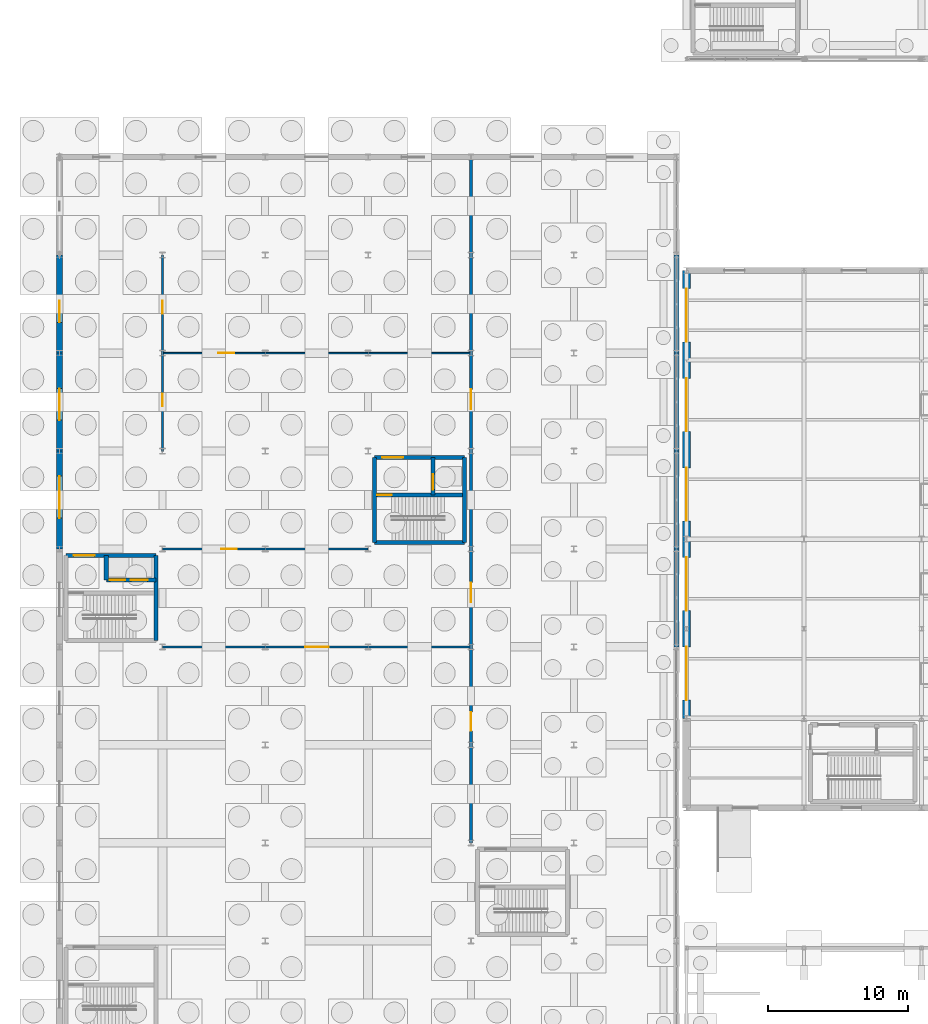
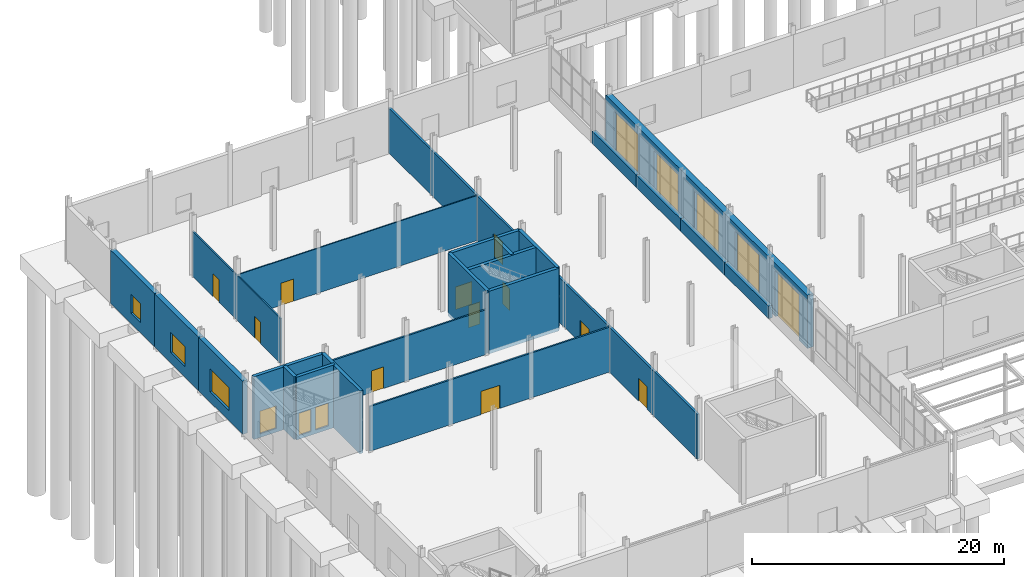
# One storey, part 120 of 139: 23 walls, 19 doors, 3 windows, 22 openings.
"""IFC4 building model written with IfcOpenShell, lengths in metres."""

from ifc_helpers import new_model, si_unit, direction, frame, frame_2d, origin, place, context, subcontext, project, spatial, rectangle, extrude, material, layer, layer_set, type_object, element, fill, save


model = new_model("IFC4")

# Units and contexts
model_context = context("Model", 3, precision=1e-05, world=origin(), true_north=direction((0.0, 1.0)))
body_context = subcontext(model_context, "Body", "Model", "MODEL_VIEW")
ifc_project = project(units=[si_unit("LENGTHUNIT", "METRE"), si_unit("AREAUNIT", "SQUARE_METRE"), si_unit("VOLUMEUNIT", "CUBIC_METRE"), si_unit("PLANEANGLEUNIT", "RADIAN"), si_unit("MASSUNIT", "GRAM", prefix="KILO")], contexts=[model_context])

# Site, building, storey
site_placement = place(None, origin())
site = spatial("IfcSite", under=ifc_project, at=site_placement, CompositionType="ELEMENT")
building_placement = place(site_placement, origin())
building = spatial("IfcBuilding", under=site, at=building_placement, Name="Kazenagashi Tramway Depot", CompositionType="ELEMENT")
storey_placement = place(building_placement, origin())
storey = spatial("IfcBuildingStorey", under=building, at=storey_placement, Name="L01", CompositionType="ELEMENT", Elevation=0.0)

# Wall, opening, window
ifc_material_1 = material(Name="Clay Brick Masonry JIS R 1250 Class 1 (20 MPa)", Category="masonry")
ifc_layer_1 = layer(ifc_material_1, 0.43)
ifc_layer_set_1 = layer_set([ifc_layer_1], Name="Clay Brick Masonry JIS R 1250 Class 1 (20 MPa)")
wall_type_1 = type_object("IfcWallType", Name="W-BK1", PredefinedType="SOLIDWALL", material=ifc_layer_set_1)
wall_1_placement = place(storey_placement, frame((0.0, 35.0, 0.0), z_axis=(0.0, 0.0, 1.0), x_axis=(0.0, 1.0, 0.0)))
wall_1 = element("IfcWall", 1, at=wall_1_placement, inside=storey, type_object=wall_type_1, Name="Exterior Brick Wall W-BK1 EWALL-0224", PredefinedType="SOLIDWALL", context=body_context, shape_type="SweptSolid", body=[
    extrude(rectangle(XDim=7.0, YDim=0.43, at=frame_2d((3.5, 0.0))), origin(), (0.0, 0.0, 1.0), 5.15),
])
opening_1_placement = place(wall_1_placement, frame((2.2, 0.0, 1.0)))
opening_1 = element("IfcOpeningElement", 2, at=opening_1_placement, cuts=wall_1, Name="Opening WN-14", PredefinedType="OPENING", context=body_context, shape_type="SweptSolid", body=[
    extrude(rectangle(XDim=3.0, YDim=2.2, at=frame_2d((1.5, 1.1))), frame((0.0, 0.225, 0.0), z_axis=(0.0, -1.0, 0.0), x_axis=(1.0, 0.0, 0.0)), (0.0, 0.0, 1.0), 0.45),
])
ifc_material_2 = material(Name="Anodised Aluminium and Tempered Low-E Glass", Category="aluminium")
window_type_1 = type_object("IfcWindowType", Name="WN-14", PartitioningType="SINGLE_PANEL", PredefinedType="WINDOW", material=ifc_material_2)
window_1_placement = place(opening_1_placement, origin())
window_1 = element("IfcWindow", 3, at=window_1_placement, inside=storey, type_object=window_type_1, Name="Window WN-14 WIN-0206", OverallHeight=2.2, OverallWidth=3.0, PartitioningType="SINGLE_PANEL", PredefinedType="WINDOW", context=body_context, shape_type="SweptSolid", body=[
    extrude(rectangle(XDim=3.0, YDim=2.2, at=frame_2d((1.5, 1.1))), frame((0.0, 0.03, 0.0), z_axis=(0.0, -1.0, 0.0), x_axis=(1.0, 0.0, 0.0)), (0.0, 0.0, 1.0), 0.06),
])
fill(opening_1, window_1)

wall_2_placement = place(storey_placement, frame((0.0, 42.0, 0.0), z_axis=(0.0, 0.0, 1.0), x_axis=(0.0, 1.0, 0.0)))
wall_2 = element("IfcWall", 4, at=wall_2_placement, inside=storey, type_object=wall_type_1, Name="Exterior Brick Wall W-BK1 EWALL-0229", PredefinedType="SOLIDWALL", context=body_context, shape_type="SweptSolid", body=[
    extrude(rectangle(XDim=7.0, YDim=0.43, at=frame_2d((3.5, 0.0))), origin(), (0.0, 0.0, 1.0), 5.15),
])
opening_2_placement = place(wall_2_placement, frame((2.2, 0.0, 1.0)))
opening_2 = element("IfcOpeningElement", 5, at=opening_2_placement, cuts=wall_2, Name="Opening WN-19", PredefinedType="OPENING", context=body_context, shape_type="SweptSolid", body=[
    extrude(rectangle(XDim=2.25, YDim=1.95, at=frame_2d((1.125, 0.975))), frame((0.0, 0.225, 0.0), z_axis=(0.0, -1.0, 0.0), x_axis=(1.0, 0.0, 0.0)), (0.0, 0.0, 1.0), 0.45),
])
window_type_2 = type_object("IfcWindowType", Name="WN-19", PartitioningType="SINGLE_PANEL", PredefinedType="WINDOW", material=ifc_material_2)
window_2_placement = place(opening_2_placement, origin())
window_2 = element("IfcWindow", 6, at=window_2_placement, inside=storey, type_object=window_type_2, Name="Window WN-19 WIN-0211", OverallHeight=1.95, OverallWidth=2.25, PartitioningType="SINGLE_PANEL", PredefinedType="WINDOW", context=body_context, shape_type="SweptSolid", body=[
    extrude(rectangle(XDim=2.25, YDim=1.95, at=frame_2d((1.125, 0.975))), frame((0.0, 0.03, 0.0), z_axis=(0.0, -1.0, 0.0), x_axis=(1.0, 0.0, 0.0)), (0.0, 0.0, 1.0), 0.06),
])
fill(opening_2, window_2)

wall_3_placement = place(storey_placement, frame((0.0, 49.0, 0.0), z_axis=(0.0, 0.0, 1.0), x_axis=(0.0, 1.0, 0.0)))
wall_3 = element("IfcWall", 7, at=wall_3_placement, inside=storey, type_object=wall_type_1, Name="Exterior Brick Wall W-BK1 EWALL-0233", PredefinedType="SOLIDWALL", context=body_context, shape_type="SweptSolid", body=[
    extrude(rectangle(XDim=7.0, YDim=0.43, at=frame_2d((3.5, 0.0))), origin(), (0.0, 0.0, 1.0), 5.15),
])
opening_3_placement = place(wall_3_placement, frame((2.2, 0.0, 1.0)))
opening_3 = element("IfcOpeningElement", 8, at=opening_3_placement, cuts=wall_3, Name="Opening WN-23", PredefinedType="OPENING", context=body_context, shape_type="SweptSolid", body=[
    extrude(rectangle(XDim=1.55, YDim=1.85, at=frame_2d((0.775, 0.925))), frame((0.0, 0.225, 0.0), z_axis=(0.0, -1.0, 0.0), x_axis=(1.0, 0.0, 0.0)), (0.0, 0.0, 1.0), 0.45),
])
window_type_3 = type_object("IfcWindowType", Name="WN-23", PartitioningType="SINGLE_PANEL", PredefinedType="WINDOW", material=ifc_material_2)
window_3_placement = place(opening_3_placement, origin())
window_3 = element("IfcWindow", 9, at=window_3_placement, inside=storey, type_object=window_type_3, Name="Window WN-23 WIN-0215", OverallHeight=1.85, OverallWidth=1.55, PartitioningType="SINGLE_PANEL", PredefinedType="WINDOW", context=body_context, shape_type="SweptSolid", body=[
    extrude(rectangle(XDim=1.55, YDim=1.85, at=frame_2d((0.775, 0.925))), frame((0.0, 0.03, 0.0), z_axis=(0.0, -1.0, 0.0), x_axis=(1.0, 0.0, 0.0)), (0.0, 0.0, 1.0), 0.06),
])
fill(opening_3, window_3)

# Walls
ifc_layer_2 = layer(ifc_material_1, 0.36)
ifc_layer_set_2 = layer_set([ifc_layer_2], Name="Clay Brick Masonry JIS R 1250 Class 1 (20 MPa)")
wall_type_2 = type_object("IfcWallType", Name="W-BK2", PredefinedType="SOLIDWALL", material=ifc_layer_set_2)
for number, where, z_axis, x_axis, name in (
    (10, (44.1, 28.0, 0.0), (0.0, 0.0, 1.0), (0.0, 1.0, 0.0), "Exterior Brick Wall W-BK2 EWALL-0319"),
    (11, (44.1, 35.0, 0.0), (0.0, 0.0, 1.0), (0.0, 1.0, 0.0), "Exterior Brick Wall W-BK2 EWALL-0320"),
    (12, (44.1, 42.0, 0.0), (0.0, 0.0, 1.0), (0.0, 1.0, 0.0), "Exterior Brick Wall W-BK2 EWALL-0321"),
    (13, (44.1, 49.0, 0.0), (0.0, 0.0, 1.0), (0.0, 1.0, 0.0), "Exterior Brick Wall W-BK2 EWALL-0322"),
):
    element("IfcWall", number, at=place(storey_placement, frame(where, z_axis=z_axis, x_axis=x_axis)), inside=storey, type_object=wall_type_2, Name=name, PredefinedType="SOLIDWALL", context=body_context, shape_type="SweptSolid", body=[
        extrude(rectangle(XDim=7.0, YDim=0.36, at=frame_2d((3.5, 0.0))), origin(), (0.0, 0.0, 1.0), 1.2),
    ])

# Wall, openings, doors
ifc_material_3 = material(Name="Clinker Brick Masonry JIS R 1250 Class 1 (24 MPa)", Category="masonry")
ifc_layer_3 = layer(ifc_material_3, 0.54)
ifc_layer_set_3 = layer_set([ifc_layer_3], Name="Clinker Brick Masonry JIS R 1250 Class 1 (24 MPa)")
wall_type_3 = type_object("IfcWallType", Name="W-BK4", PredefinedType="SOLIDWALL", material=ifc_layer_set_3)
wall_4_placement = place(storey_placement, frame((44.8, 22.9, 0.0), z_axis=(0.0, 0.0, 1.0), x_axis=(0.0, 1.0, 0.0)))
wall_4 = element("IfcWall", 14, at=wall_4_placement, inside=storey, type_object=wall_type_3, Name="Exterior Brick Wall W-BK4 EWALL-0068", PredefinedType="SOLIDWALL", context=body_context, shape_type="SweptSolid", body=[
    extrude(rectangle(XDim=32.0, YDim=0.54, at=frame_2d((16.0, 0.0))), origin(), (0.0, 0.0, 1.0), 5.14),
])
opening_4_placement = place(wall_4_placement, frame((1.3, 0.0, 0.0)))
opening_4 = element("IfcOpeningElement", 15, at=opening_4_placement, cuts=wall_4, Name="Opening RS-12", PredefinedType="OPENING", context=body_context, shape_type="SweptSolid", body=[
    extrude(rectangle(XDim=3.8, YDim=4.4, at=frame_2d((1.9, 2.2))), frame((0.0, 0.28, 0.0), z_axis=(0.0, -1.0, 0.0), x_axis=(1.0, 0.0, 0.0)), (0.0, 0.0, 1.0), 0.56),
])
opening_5_placement = place(wall_4_placement, frame((7.7, 0.0, 0.0)))
opening_5 = element("IfcOpeningElement", 16, at=opening_5_placement, cuts=wall_4, Name="Opening RS-13", PredefinedType="OPENING", context=body_context, shape_type="SweptSolid", body=[
    extrude(rectangle(XDim=3.8, YDim=4.4, at=frame_2d((1.9, 2.2))), frame((0.0, 0.28, 0.0), z_axis=(0.0, -1.0, 0.0), x_axis=(1.0, 0.0, 0.0)), (0.0, 0.0, 1.0), 0.56),
])
opening_6_placement = place(wall_4_placement, frame((14.1, 0.0, 0.0)))
opening_6 = element("IfcOpeningElement", 17, at=opening_6_placement, cuts=wall_4, Name="Opening RS-14", PredefinedType="OPENING", context=body_context, shape_type="SweptSolid", body=[
    extrude(rectangle(XDim=3.8, YDim=4.4, at=frame_2d((1.9, 2.2))), frame((0.0, 0.28, 0.0), z_axis=(0.0, -1.0, 0.0), x_axis=(1.0, 0.0, 0.0)), (0.0, 0.0, 1.0), 0.56),
])
opening_7_placement = place(wall_4_placement, frame((20.5, 0.0, 0.0)))
opening_7 = element("IfcOpeningElement", 18, at=opening_7_placement, cuts=wall_4, Name="Opening RS-15", PredefinedType="OPENING", context=body_context, shape_type="SweptSolid", body=[
    extrude(rectangle(XDim=3.8, YDim=4.4, at=frame_2d((1.9, 2.2))), frame((0.0, 0.28, 0.0), z_axis=(0.0, -1.0, 0.0), x_axis=(1.0, 0.0, 0.0)), (0.0, 0.0, 1.0), 0.56),
])
opening_8_placement = place(wall_4_placement, frame((26.9, 0.0, 0.0)))
opening_8 = element("IfcOpeningElement", 19, at=opening_8_placement, cuts=wall_4, Name="Opening RS-16", PredefinedType="OPENING", context=body_context, shape_type="SweptSolid", body=[
    extrude(rectangle(XDim=3.8, YDim=4.4, at=frame_2d((1.9, 2.2))), frame((0.0, 0.28, 0.0), z_axis=(0.0, -1.0, 0.0), x_axis=(1.0, 0.0, 0.0)), (0.0, 0.0, 1.0), 0.56),
])
ifc_material_4 = material(Name="Galvanised Insulated Steel Slats", Category="steel")
door_type_1 = type_object("IfcDoorType", Name="DT-27", OperationType="NOTDEFINED", PredefinedType="DOOR", material=ifc_material_4)
door_1_placement = place(opening_4_placement, origin())
door_1 = element("IfcDoor", 20, at=door_1_placement, inside=storey, type_object=door_type_1, Name="Motorised Vehicle Roller Shutter RS-12", OperationType="ROLLINGUP", OverallHeight=4.4, OverallWidth=3.8, PredefinedType="DOOR", context=body_context, shape_type="SweptSolid", body=[
    extrude(rectangle(XDim=3.8, YDim=4.4, at=frame_2d((1.9, 2.2))), frame((0.0, 0.025, 0.0), z_axis=(0.0, -1.0, 0.0), x_axis=(1.0, 0.0, 0.0)), (0.0, 0.0, 1.0), 0.05),
])
fill(opening_4, door_1)
door_2_placement = place(opening_5_placement, origin())
door_2 = element("IfcDoor", 21, at=door_2_placement, inside=storey, type_object=door_type_1, Name="Motorised Vehicle Roller Shutter RS-13", OperationType="ROLLINGUP", OverallHeight=4.4, OverallWidth=3.8, PredefinedType="DOOR", context=body_context, shape_type="SweptSolid", body=[
    extrude(rectangle(XDim=3.8, YDim=4.4, at=frame_2d((1.9, 2.2))), frame((0.0, 0.025, 0.0), z_axis=(0.0, -1.0, 0.0), x_axis=(1.0, 0.0, 0.0)), (0.0, 0.0, 1.0), 0.05),
])
fill(opening_5, door_2)
door_3_placement = place(opening_6_placement, origin())
door_3 = element("IfcDoor", 22, at=door_3_placement, inside=storey, type_object=door_type_1, Name="Motorised Vehicle Roller Shutter RS-14", OperationType="ROLLINGUP", OverallHeight=4.4, OverallWidth=3.8, PredefinedType="DOOR", context=body_context, shape_type="SweptSolid", body=[
    extrude(rectangle(XDim=3.8, YDim=4.4, at=frame_2d((1.9, 2.2))), frame((0.0, 0.025, 0.0), z_axis=(0.0, -1.0, 0.0), x_axis=(1.0, 0.0, 0.0)), (0.0, 0.0, 1.0), 0.05),
])
fill(opening_6, door_3)
door_4_placement = place(opening_7_placement, origin())
door_4 = element("IfcDoor", 23, at=door_4_placement, inside=storey, type_object=door_type_1, Name="Motorised Vehicle Roller Shutter RS-15", OperationType="ROLLINGUP", OverallHeight=4.4, OverallWidth=3.8, PredefinedType="DOOR", context=body_context, shape_type="SweptSolid", body=[
    extrude(rectangle(XDim=3.8, YDim=4.4, at=frame_2d((1.9, 2.2))), frame((0.0, 0.025, 0.0), z_axis=(0.0, -1.0, 0.0), x_axis=(1.0, 0.0, 0.0)), (0.0, 0.0, 1.0), 0.05),
])
fill(opening_7, door_4)
door_5_placement = place(opening_8_placement, origin())
door_5 = element("IfcDoor", 24, at=door_5_placement, inside=storey, type_object=door_type_1, Name="Motorised Vehicle Roller Shutter RS-16", OperationType="ROLLINGUP", OverallHeight=4.4, OverallWidth=3.8, PredefinedType="DOOR", context=body_context, shape_type="SweptSolid", body=[
    extrude(rectangle(XDim=3.8, YDim=4.4, at=frame_2d((1.9, 2.2))), frame((0.0, 0.025, 0.0), z_axis=(0.0, -1.0, 0.0), x_axis=(1.0, 0.0, 0.0)), (0.0, 0.0, 1.0), 0.05),
])
fill(opening_8, door_5)

# Wall, opening, door
ifc_material_5 = material(Name="Gypsum Plasterboard Partition", Category="gypsum")
ifc_layer_4 = layer(ifc_material_5, 0.15)
ifc_layer_set_4 = layer_set([ifc_layer_4], Name="Gypsum Plasterboard Partition")
wall_type_4 = type_object("IfcWallType", Name="W-PT1", PredefinedType="PARTITIONING", material=ifc_layer_set_4)
wall_5_placement = place(storey_placement, frame((7.35, 28.0, 0.0), z_axis=(0.0, 0.0, 1.0), x_axis=(1.0, 0.0, 0.0)))
wall_5 = element("IfcWall", 25, at=wall_5_placement, inside=storey, type_object=wall_type_4, Name="Interior Partition W-PT1 IWALL-0255", PredefinedType="PARTITIONING", context=body_context, shape_type="SweptSolid", body=[
    extrude(rectangle(XDim=22.05, YDim=0.15, at=frame_2d((11.025, 0.0))), origin(), (0.0, 0.0, 1.0), 4.35),
])
opening_9_placement = place(wall_5_placement, frame((10.2, 0.0, 0.0)))
opening_9 = element("IfcOpeningElement", 26, at=opening_9_placement, cuts=wall_5, Name="Opening D-156", PredefinedType="OPENING", context=body_context, shape_type="SweptSolid", body=[
    extrude(rectangle(XDim=1.7, YDim=2.25, at=frame_2d((0.85, 1.125))), frame((0.0, 0.085, 0.0), z_axis=(0.0, -1.0, 0.0), x_axis=(1.0, 0.0, 0.0)), (0.0, 0.0, 1.0), 0.17),
])
ifc_material_6 = material(Name="Powder-Coated Steel Door", Category="steel")
door_type_2 = type_object("IfcDoorType", Name="DT-18", OperationType="NOTDEFINED", PredefinedType="DOOR", material=ifc_material_6)
door_6_placement = place(opening_9_placement, origin())
door_6 = element("IfcDoor", 27, at=door_6_placement, inside=storey, type_object=door_type_2, Name="Interior Door D-156", OperationType="DOUBLE_DOOR_SINGLE_SWING", OverallHeight=2.25, OverallWidth=1.7, PredefinedType="DOOR", context=body_context, shape_type="SweptSolid", body=[
    extrude(rectangle(XDim=1.7, YDim=2.25, at=frame_2d((0.85, 1.125))), frame((0.0, 0.025, 0.0), z_axis=(0.0, -1.0, 0.0), x_axis=(1.0, 0.0, 0.0)), (0.0, 0.0, 1.0), 0.05),
])
fill(opening_9, door_6)

wall_6_placement = place(storey_placement, frame((7.35, 35.0, 0.0), z_axis=(0.0, 0.0, 1.0), x_axis=(1.0, 0.0, 0.0)))
wall_6 = element("IfcWall", 28, at=wall_6_placement, inside=storey, type_object=wall_type_4, Name="Interior Partition W-PT1 IWALL-0256", PredefinedType="PARTITIONING", context=body_context, shape_type="SweptSolid", body=[
    extrude(rectangle(XDim=14.7, YDim=0.15, at=frame_2d((7.35, 0.0))), origin(), (0.0, 0.0, 1.0), 4.35),
])
opening_10_placement = place(wall_6_placement, frame((4.2, 0.0, 0.0)))
opening_10 = element("IfcOpeningElement", 29, at=opening_10_placement, cuts=wall_6, Name="Opening D-157", PredefinedType="OPENING", context=body_context, shape_type="SweptSolid", body=[
    extrude(rectangle(XDim=1.1, YDim=2.1, at=frame_2d((0.55, 1.05))), frame((0.0, 0.085, 0.0), z_axis=(0.0, -1.0, 0.0), x_axis=(1.0, 0.0, 0.0)), (0.0, 0.0, 1.0), 0.17),
])
door_type_3 = type_object("IfcDoorType", Name="DT-12", OperationType="NOTDEFINED", PredefinedType="DOOR", material=ifc_material_6)
door_7_placement = place(opening_10_placement, origin())
door_7 = element("IfcDoor", 30, at=door_7_placement, inside=storey, type_object=door_type_3, Name="Interior Door D-157", OperationType="SINGLE_SWING_RIGHT", OverallHeight=2.1, OverallWidth=1.1, PredefinedType="DOOR", context=body_context, shape_type="SweptSolid", body=[
    extrude(rectangle(XDim=1.1, YDim=2.1, at=frame_2d((0.55, 1.05))), frame((0.0, 0.025, 0.0), z_axis=(0.0, -1.0, 0.0), x_axis=(1.0, 0.0, 0.0)), (0.0, 0.0, 1.0), 0.05),
])
fill(opening_10, door_7)

# Wall, openings, doors
ifc_layer_5 = layer(ifc_material_5, 0.125)
ifc_layer_set_5 = layer_set([ifc_layer_5], Name="Gypsum Plasterboard Partition")
wall_type_5 = type_object("IfcWallType", Name="W-PT2", PredefinedType="PARTITIONING", material=ifc_layer_set_5)
wall_7_placement = place(storey_placement, frame((7.35, 42.0, 0.0), z_axis=(0.0, 0.0, 1.0), x_axis=(0.0, 1.0, 0.0)))
wall_7 = element("IfcWall", 31, at=wall_7_placement, inside=storey, type_object=wall_type_5, Name="Interior Partition W-PT2 IWALL-0257", PredefinedType="PARTITIONING", context=body_context, shape_type="SweptSolid", body=[
    extrude(rectangle(XDim=14.0, YDim=0.125, at=frame_2d((7.0, 0.0))), origin(), (0.0, 0.0, 1.0), 4.35),
])
opening_11_placement = place(wall_7_placement, frame((3.2, 0.0, 0.0)))
opening_11 = element("IfcOpeningElement", 32, at=opening_11_placement, cuts=wall_7, Name="Opening D-158", PredefinedType="OPENING", context=body_context, shape_type="SweptSolid", body=[
    extrude(rectangle(XDim=0.9, YDim=2.1, at=frame_2d((0.45, 1.05))), frame((0.0, 0.0725, 0.0), z_axis=(0.0, -1.0, 0.0), x_axis=(1.0, 0.0, 0.0)), (0.0, 0.0, 1.0), 0.145),
])
opening_12_placement = place(wall_7_placement, frame((9.8, 0.0, 0.0)))
opening_12 = element("IfcOpeningElement", 33, at=opening_12_placement, cuts=wall_7, Name="Opening D-159", PredefinedType="OPENING", context=body_context, shape_type="SweptSolid", body=[
    extrude(rectangle(XDim=0.95, YDim=2.2, at=frame_2d((0.475, 1.1))), frame((0.0, 0.0725, 0.0), z_axis=(0.0, -1.0, 0.0), x_axis=(1.0, 0.0, 0.0)), (0.0, 0.0, 1.0), 0.145),
])
door_type_4 = type_object("IfcDoorType", Name="DT-19", OperationType="NOTDEFINED", PredefinedType="DOOR", material=ifc_material_6)
door_8_placement = place(opening_11_placement, origin())
door_8 = element("IfcDoor", 34, at=door_8_placement, inside=storey, type_object=door_type_4, Name="Interior Door D-158", OperationType="SINGLE_SWING_LEFT", OverallHeight=2.1, OverallWidth=0.9, PredefinedType="DOOR", context=body_context, shape_type="SweptSolid", body=[
    extrude(rectangle(XDim=0.9, YDim=2.1, at=frame_2d((0.45, 1.05))), frame((0.0, 0.025, 0.0), z_axis=(0.0, -1.0, 0.0), x_axis=(1.0, 0.0, 0.0)), (0.0, 0.0, 1.0), 0.05),
])
fill(opening_11, door_8)
door_type_5 = type_object("IfcDoorType", Name="DT-20", OperationType="NOTDEFINED", PredefinedType="DOOR", material=ifc_material_6)
door_9_placement = place(opening_12_placement, origin())
door_9 = element("IfcDoor", 35, at=door_9_placement, inside=storey, type_object=door_type_5, Name="Interior Door D-159", OperationType="SINGLE_SWING_RIGHT", OverallHeight=2.2, OverallWidth=0.95, PredefinedType="DOOR", context=body_context, shape_type="SweptSolid", body=[
    extrude(rectangle(XDim=0.95, YDim=2.2, at=frame_2d((0.475, 1.1))), frame((0.0, 0.025, 0.0), z_axis=(0.0, -1.0, 0.0), x_axis=(1.0, 0.0, 0.0)), (0.0, 0.0, 1.0), 0.05),
])
fill(opening_12, door_9)

# Wall, opening, door
ifc_layer_6 = layer(ifc_material_5, 0.1)
ifc_layer_set_6 = layer_set([ifc_layer_6], Name="Gypsum Plasterboard Partition")
wall_type_6 = type_object("IfcWallType", Name="W-PT3", PredefinedType="PARTITIONING", material=ifc_layer_set_6)
wall_8_placement = place(storey_placement, frame((7.35, 49.0, 0.0), z_axis=(0.0, 0.0, 1.0), x_axis=(1.0, 0.0, 0.0)))
wall_8 = element("IfcWall", 36, at=wall_8_placement, inside=storey, type_object=wall_type_6, Name="Interior Partition W-PT3 IWALL-0258", PredefinedType="PARTITIONING", context=body_context, shape_type="SweptSolid", body=[
    extrude(rectangle(XDim=22.05, YDim=0.1, at=frame_2d((11.025, 0.0))), origin(), (0.0, 0.0, 1.0), 4.35),
])
opening_13_placement = place(wall_8_placement, frame((4.0, 0.0, 0.0)))
opening_13 = element("IfcOpeningElement", 37, at=opening_13_placement, cuts=wall_8, Name="Opening D-160", PredefinedType="OPENING", context=body_context, shape_type="SweptSolid", body=[
    extrude(rectangle(XDim=1.15, YDim=2.15, at=frame_2d((0.575, 1.075))), frame((0.0, 0.06, 0.0), z_axis=(0.0, -1.0, 0.0), x_axis=(1.0, 0.0, 0.0)), (0.0, 0.0, 1.0), 0.12),
])
door_type_6 = type_object("IfcDoorType", Name="DT-13", OperationType="NOTDEFINED", PredefinedType="DOOR", material=ifc_material_6)
door_10_placement = place(opening_13_placement, origin())
door_10 = element("IfcDoor", 38, at=door_10_placement, inside=storey, type_object=door_type_6, Name="Interior Door D-160", OperationType="SINGLE_SWING_LEFT", OverallHeight=2.15, OverallWidth=1.15, PredefinedType="DOOR", context=body_context, shape_type="SweptSolid", body=[
    extrude(rectangle(XDim=1.15, YDim=2.15, at=frame_2d((0.575, 1.075))), frame((0.0, 0.025, 0.0), z_axis=(0.0, -1.0, 0.0), x_axis=(1.0, 0.0, 0.0)), (0.0, 0.0, 1.0), 0.05),
])
fill(opening_13, door_10)

# Wall, openings, doors
ifc_layer_7 = layer(ifc_material_5, 0.2)
ifc_layer_set_7 = layer_set([ifc_layer_7], Name="Gypsum Plasterboard Partition")
wall_type_7 = type_object("IfcWallType", Name="W-PT5", PredefinedType="PARTITIONING", material=ifc_layer_set_7)
wall_9_placement = place(storey_placement, frame((29.4, 14.0, 0.0), z_axis=(0.0, 0.0, 1.0), x_axis=(0.0, 1.0, 0.0)))
wall_9 = element("IfcWall", 39, at=wall_9_placement, inside=storey, type_object=wall_type_7, Name="Interior Partition W-PT5 IWALL-0254", PredefinedType="PARTITIONING", context=body_context, shape_type="SweptSolid", body=[
    extrude(rectangle(XDim=49.0, YDim=0.2, at=frame_2d((24.5, 0.0))), origin(), (0.0, 0.0, 1.0), 4.35),
])
opening_14_placement = place(wall_9_placement, frame((8.0, 0.0, 0.0)))
opening_14 = element("IfcOpeningElement", 40, at=opening_14_placement, cuts=wall_9, Name="Opening D-153", PredefinedType="OPENING", context=body_context, shape_type="SweptSolid", body=[
    extrude(rectangle(XDim=1.35, YDim=2.2, at=frame_2d((0.675, 1.1))), frame((0.0, 0.11, 0.0), z_axis=(0.0, -1.0, 0.0), x_axis=(1.0, 0.0, 0.0)), (0.0, 0.0, 1.0), 0.22),
])
opening_15_placement = place(wall_9_placement, frame((17.2, 0.0, 0.0)))
opening_15 = element("IfcOpeningElement", 41, at=opening_15_placement, cuts=wall_9, Name="Opening D-154", PredefinedType="OPENING", context=body_context, shape_type="SweptSolid", body=[
    extrude(rectangle(XDim=1.4, YDim=2.2, at=frame_2d((0.7, 1.1))), frame((0.0, 0.11, 0.0), z_axis=(0.0, -1.0, 0.0), x_axis=(1.0, 0.0, 0.0)), (0.0, 0.0, 1.0), 0.22),
])
opening_16_placement = place(wall_9_placement, frame((31.0, 0.0, 0.0)))
opening_16 = element("IfcOpeningElement", 42, at=opening_16_placement, cuts=wall_9, Name="Opening D-155", PredefinedType="OPENING", context=body_context, shape_type="SweptSolid", body=[
    extrude(rectangle(XDim=1.4, YDim=2.2, at=frame_2d((0.7, 1.1))), frame((0.0, 0.11, 0.0), z_axis=(0.0, -1.0, 0.0), x_axis=(1.0, 0.0, 0.0)), (0.0, 0.0, 1.0), 0.22),
])
door_type_7 = type_object("IfcDoorType", Name="DT-15", OperationType="NOTDEFINED", PredefinedType="DOOR", material=ifc_material_6)
door_11_placement = place(opening_14_placement, origin())
door_11 = element("IfcDoor", 43, at=door_11_placement, inside=storey, type_object=door_type_7, Name="Interior Door D-153", OperationType="DOUBLE_DOOR_SINGLE_SWING", OverallHeight=2.2, OverallWidth=1.35, PredefinedType="DOOR", context=body_context, shape_type="SweptSolid", body=[
    extrude(rectangle(XDim=1.35, YDim=2.2, at=frame_2d((0.675, 1.1))), frame((0.0, 0.025, 0.0), z_axis=(0.0, -1.0, 0.0), x_axis=(1.0, 0.0, 0.0)), (0.0, 0.0, 1.0), 0.05),
])
fill(opening_14, door_11)
door_type_8 = type_object("IfcDoorType", Name="DT-16", OperationType="NOTDEFINED", PredefinedType="DOOR", material=ifc_material_6)
door_12_placement = place(opening_15_placement, origin())
door_12 = element("IfcDoor", 44, at=door_12_placement, inside=storey, type_object=door_type_8, Name="Interior Door D-154", OperationType="DOUBLE_DOOR_SINGLE_SWING", OverallHeight=2.2, OverallWidth=1.4, PredefinedType="DOOR", context=body_context, shape_type="SweptSolid", body=[
    extrude(rectangle(XDim=1.4, YDim=2.2, at=frame_2d((0.7, 1.1))), frame((0.0, 0.025, 0.0), z_axis=(0.0, -1.0, 0.0), x_axis=(1.0, 0.0, 0.0)), (0.0, 0.0, 1.0), 0.05),
])
fill(opening_15, door_12)
door_13_placement = place(opening_16_placement, origin())
door_13 = element("IfcDoor", 45, at=door_13_placement, inside=storey, type_object=door_type_8, Name="Interior Door D-155", OperationType="DOUBLE_DOOR_SINGLE_SWING", OverallHeight=2.2, OverallWidth=1.4, PredefinedType="DOOR", context=body_context, shape_type="SweptSolid", body=[
    extrude(rectangle(XDim=1.4, YDim=2.2, at=frame_2d((0.7, 1.1))), frame((0.0, 0.025, 0.0), z_axis=(0.0, -1.0, 0.0), x_axis=(1.0, 0.0, 0.0)), (0.0, 0.0, 1.0), 0.05),
])
fill(opening_16, door_13)

# Wall, opening, door
ifc_material_7 = material(Name="Concrete Fc36", Category="concrete")
ifc_layer_8 = layer(ifc_material_7, 0.3)
ifc_layer_set_8 = layer_set([ifc_layer_8], Name="Concrete Fc36")
wall_type_8 = type_object("IfcWallType", Name="W-RC1", PredefinedType="SHEAR", material=ifc_layer_set_8)
wall_10_placement = place(storey_placement, frame((0.46, 34.54, -0.35), z_axis=(0.0, 0.0, 1.0), x_axis=(1.0, 0.0, 0.0)))
wall_10 = element("IfcWall", 46, at=wall_10_placement, inside=storey, type_object=wall_type_8, Name="Core Shear Wall W-RC1 IWALL-0014", PredefinedType="SHEAR", context=body_context, shape_type="SweptSolid", body=[
    extrude(rectangle(XDim=6.43, YDim=0.3, at=frame_2d((3.215, 0.0))), origin(), (0.0, 0.0, 1.0), 6.07),
])
opening_17_placement = place(wall_10_placement, frame((0.55, 0.0, 0.35)))
opening_17 = element("IfcOpeningElement", 47, at=opening_17_placement, cuts=wall_10, Name="Opening D-052", PredefinedType="OPENING", context=body_context, shape_type="SweptSolid", body=[
    extrude(rectangle(XDim=1.5, YDim=2.2, at=frame_2d((0.75, 1.1))), frame((0.0, 0.16, 0.0), z_axis=(0.0, -1.0, 0.0), x_axis=(1.0, 0.0, 0.0)), (0.0, 0.0, 1.0), 0.32),
])
ifc_material_8 = material(Name="Galvanised Fire-Rated Steel Door", Category="steel")
door_type_9 = type_object("IfcDoorType", Name="DT-05", OperationType="NOTDEFINED", PredefinedType="DOOR", material=ifc_material_8)
door_14_placement = place(opening_17_placement, origin())
door_14 = element("IfcDoor", 48, at=door_14_placement, inside=storey, type_object=door_type_9, Name="Interior Door D-052", OperationType="DOUBLE_DOOR_SINGLE_SWING", OverallHeight=2.2, OverallWidth=1.5, PredefinedType="DOOR", context=body_context, shape_type="SweptSolid", body=[
    extrude(rectangle(XDim=1.5, YDim=2.2, at=frame_2d((0.75, 1.1))), frame((0.0, 0.025, 0.0), z_axis=(0.0, -1.0, 0.0), x_axis=(1.0, 0.0, 0.0)), (0.0, 0.0, 1.0), 0.05),
])
fill(opening_17, door_14)

# Walls
wall_11_placement = place(storey_placement, frame((6.89, 28.46, -0.35), z_axis=(0.0, 0.0, 1.0), x_axis=(0.0, 1.0, 0.0)))
element("IfcWall", 49, at=wall_11_placement, inside=storey, type_object=wall_type_8, Name="Core Shear Wall W-RC1 IWALL-0016", PredefinedType="SHEAR", context=body_context, shape_type="SweptSolid", body=[
    extrude(rectangle(XDim=6.08, YDim=0.3, at=frame_2d((3.04, 0.0))), origin(), (0.0, 0.0, 1.0), 6.07),
])
wall_12_placement = place(storey_placement, frame((3.34, 32.79, -0.35), z_axis=(0.0, 0.0, 1.0), x_axis=(0.0, 1.0, 0.0)))
element("IfcWall", 50, at=wall_12_placement, inside=storey, type_object=wall_type_8, Name="Core Shear Wall W-RC1 IWALL-0018", PredefinedType="SHEAR", context=body_context, shape_type="SweptSolid", body=[
    extrude(rectangle(XDim=1.75, YDim=0.3, at=frame_2d((0.875, 0.0))), origin(), (0.0, 0.0, 1.0), 6.07),
])

# Wall, openings, doors
wall_13_placement = place(storey_placement, frame((3.34, 32.79, -0.35), z_axis=(0.0, 0.0, 1.0), x_axis=(1.0, 0.0, 0.0)))
wall_13 = element("IfcWall", 51, at=wall_13_placement, inside=storey, type_object=wall_type_8, Name="Core Shear Wall W-RC1 IWALL-0019", PredefinedType="SHEAR", context=body_context, shape_type="SweptSolid", body=[
    extrude(rectangle(XDim=3.55, YDim=0.3, at=frame_2d((1.775, 0.0))), origin(), (0.0, 0.0, 1.0), 6.07),
])
opening_18_placement = place(wall_13_placement, frame((0.25, 0.0, 0.35)))
opening_18 = element("IfcOpeningElement", 52, at=opening_18_placement, cuts=wall_13, Name="Opening LD-01", PredefinedType="OPENING", context=body_context, shape_type="SweptSolid", body=[
    extrude(rectangle(XDim=1.1, YDim=2.15, at=frame_2d((0.55, 1.075))), frame((0.0, 0.16, 0.0), z_axis=(0.0, -1.0, 0.0), x_axis=(1.0, 0.0, 0.0)), (0.0, 0.0, 1.0), 0.32),
])
opening_19_placement = place(wall_13_placement, frame((1.75, 0.0, 0.35)))
opening_19 = element("IfcOpeningElement", 53, at=opening_19_placement, cuts=wall_13, Name="Opening LD-02", PredefinedType="OPENING", context=body_context, shape_type="SweptSolid", body=[
    extrude(rectangle(XDim=1.2, YDim=2.2, at=frame_2d((0.6, 1.1))), frame((0.0, 0.16, 0.0), z_axis=(0.0, -1.0, 0.0), x_axis=(1.0, 0.0, 0.0)), (0.0, 0.0, 1.0), 0.32),
])
ifc_material_9 = material(Name="Brushed Stainless Steel Landing Door", Category="steel")
door_type_10 = type_object("IfcDoorType", Name="DT-29", OperationType="NOTDEFINED", PredefinedType="DOOR", material=ifc_material_9)
door_15_placement = place(opening_18_placement, origin())
door_15 = element("IfcDoor", 54, at=door_15_placement, inside=storey, type_object=door_type_10, Name="Lift Sliding Landing Door LD-01", OperationType="SLIDING_TO_LEFT", OverallHeight=2.15, OverallWidth=1.1, PredefinedType="DOOR", context=body_context, shape_type="SweptSolid", body=[
    extrude(rectangle(XDim=1.1, YDim=2.15, at=frame_2d((0.55, 1.075))), frame((0.0, 0.025, 0.0), z_axis=(0.0, -1.0, 0.0), x_axis=(1.0, 0.0, 0.0)), (0.0, 0.0, 1.0), 0.05),
])
fill(opening_18, door_15)
door_type_11 = type_object("IfcDoorType", Name="DT-30", OperationType="NOTDEFINED", PredefinedType="DOOR", material=ifc_material_9)
door_16_placement = place(opening_19_placement, origin())
door_16 = element("IfcDoor", 55, at=door_16_placement, inside=storey, type_object=door_type_11, Name="Lift Sliding Landing Door LD-02", OperationType="SLIDING_TO_RIGHT", OverallHeight=2.2, OverallWidth=1.2, PredefinedType="DOOR", context=body_context, shape_type="SweptSolid", body=[
    extrude(rectangle(XDim=1.2, YDim=2.2, at=frame_2d((0.6, 1.1))), frame((0.0, 0.025, 0.0), z_axis=(0.0, -1.0, 0.0), x_axis=(1.0, 0.0, 0.0)), (0.0, 0.0, 1.0), 0.05),
])
fill(opening_19, door_16)

# Wall
wall_14_placement = place(storey_placement, frame((22.51, 35.46, -0.35), z_axis=(0.0, 0.0, 1.0), x_axis=(1.0, 0.0, 0.0)))
element("IfcWall", 56, at=wall_14_placement, inside=storey, type_object=wall_type_8, Name="Core Shear Wall W-RC1 IWALL-0048", PredefinedType="SHEAR", context=body_context, shape_type="SweptSolid", body=[
    extrude(rectangle(XDim=6.43, YDim=0.3, at=frame_2d((3.215, 0.0))), origin(), (0.0, 0.0, 1.0), 6.07),
])

# Wall, opening, door
wall_15_placement = place(storey_placement, frame((22.51, 41.54, -0.35), z_axis=(0.0, 0.0, 1.0), x_axis=(1.0, 0.0, 0.0)))
wall_15 = element("IfcWall", 57, at=wall_15_placement, inside=storey, type_object=wall_type_8, Name="Core Shear Wall W-RC1 IWALL-0049", PredefinedType="SHEAR", context=body_context, shape_type="SweptSolid", body=[
    extrude(rectangle(XDim=6.43, YDim=0.3, at=frame_2d((3.215, 0.0))), origin(), (0.0, 0.0, 1.0), 6.07),
])
opening_20_placement = place(wall_15_placement, frame((0.55, 0.0, 0.35)))
opening_20 = element("IfcOpeningElement", 58, at=opening_20_placement, cuts=wall_15, Name="Opening D-062", PredefinedType="OPENING", context=body_context, shape_type="SweptSolid", body=[
    extrude(rectangle(XDim=1.5, YDim=2.2, at=frame_2d((0.75, 1.1))), frame((0.0, 0.16, 0.0), z_axis=(0.0, -1.0, 0.0), x_axis=(1.0, 0.0, 0.0)), (0.0, 0.0, 1.0), 0.32),
])
door_17_placement = place(opening_20_placement, origin())
door_17 = element("IfcDoor", 59, at=door_17_placement, inside=storey, type_object=door_type_9, Name="Interior Door D-062", OperationType="DOUBLE_DOOR_SINGLE_SWING", OverallHeight=2.2, OverallWidth=1.5, PredefinedType="DOOR", context=body_context, shape_type="SweptSolid", body=[
    extrude(rectangle(XDim=1.5, YDim=2.2, at=frame_2d((0.75, 1.1))), frame((0.0, 0.025, 0.0), z_axis=(0.0, -1.0, 0.0), x_axis=(1.0, 0.0, 0.0)), (0.0, 0.0, 1.0), 0.05),
])
fill(opening_20, door_17)

# Walls
for number, where, z_axis, x_axis, name in (
    (60, (22.51, 35.46, -0.35), (0.0, 0.0, 1.0), (0.0, 1.0, 0.0), "Core Shear Wall W-RC1 IWALL-0050"),
    (61, (28.94, 35.46, -0.35), (0.0, 0.0, 1.0), (0.0, 1.0, 0.0), "Core Shear Wall W-RC1 IWALL-0051"),
):
    element("IfcWall", number, at=place(storey_placement, frame(where, z_axis=z_axis, x_axis=x_axis)), inside=storey, type_object=wall_type_8, Name=name, PredefinedType="SHEAR", context=body_context, shape_type="SweptSolid", body=[
        extrude(rectangle(XDim=6.08, YDim=0.3, at=frame_2d((3.04, 0.0))), origin(), (0.0, 0.0, 1.0), 6.07),
    ])

# Wall, opening, door
wall_16_placement = place(storey_placement, frame((22.51, 38.85, -0.35), z_axis=(0.0, 0.0, 1.0), x_axis=(1.0, 0.0, 0.0)))
wall_16 = element("IfcWall", 62, at=wall_16_placement, inside=storey, type_object=wall_type_8, Name="Core Shear Wall W-RC1 IWALL-0052", PredefinedType="SHEAR", context=body_context, shape_type="SweptSolid", body=[
    extrude(rectangle(XDim=6.43, YDim=0.3, at=frame_2d((3.215, 0.0))), origin(), (0.0, 0.0, 1.0), 6.07),
])
opening_21_placement = place(wall_16_placement, frame((0.185, 0.0, 0.35)))
opening_21 = element("IfcOpeningElement", 63, at=opening_21_placement, cuts=wall_16, Name="Opening D-061", PredefinedType="OPENING", context=body_context, shape_type="SweptSolid", body=[
    extrude(rectangle(XDim=1.05, YDim=2.15, at=frame_2d((0.525, 1.075))), frame((0.0, 0.16, 0.0), z_axis=(0.0, -1.0, 0.0), x_axis=(1.0, 0.0, 0.0)), (0.0, 0.0, 1.0), 0.32),
])
door_type_12 = type_object("IfcDoorType", Name="DT-07", OperationType="NOTDEFINED", PredefinedType="DOOR", material=ifc_material_8)
door_18_placement = place(opening_21_placement, origin())
door_18 = element("IfcDoor", 64, at=door_18_placement, inside=storey, type_object=door_type_12, Name="Interior Door D-061", OperationType="SINGLE_SWING_RIGHT", OverallHeight=2.15, OverallWidth=1.05, PredefinedType="DOOR", context=body_context, shape_type="SweptSolid", body=[
    extrude(rectangle(XDim=1.05, YDim=2.15, at=frame_2d((0.525, 1.075))), frame((0.0, 0.025, 0.0), z_axis=(0.0, -1.0, 0.0), x_axis=(1.0, 0.0, 0.0)), (0.0, 0.0, 1.0), 0.05),
])
fill(opening_21, door_18)

wall_17_placement = place(storey_placement, frame((26.69, 38.85, -0.35), z_axis=(0.0, 0.0, 1.0), x_axis=(0.0, 1.0, 0.0)))
wall_17 = element("IfcWall", 65, at=wall_17_placement, inside=storey, type_object=wall_type_8, Name="Core Shear Wall W-RC1 IWALL-0053", PredefinedType="SHEAR", context=body_context, shape_type="SweptSolid", body=[
    extrude(rectangle(XDim=2.69, YDim=0.3, at=frame_2d((1.345, 0.0))), origin(), (0.0, 0.0, 1.0), 6.07),
])
opening_22_placement = place(wall_17_placement, frame((0.4, 0.0, 0.35)))
opening_22 = element("IfcOpeningElement", 66, at=opening_22_placement, cuts=wall_17, Name="Opening LD-11", PredefinedType="OPENING", context=body_context, shape_type="SweptSolid", body=[
    extrude(rectangle(XDim=1.1, YDim=2.15, at=frame_2d((0.55, 1.075))), frame((0.0, 0.16, 0.0), z_axis=(0.0, -1.0, 0.0), x_axis=(1.0, 0.0, 0.0)), (0.0, 0.0, 1.0), 0.32),
])
door_19_placement = place(opening_22_placement, origin())
door_19 = element("IfcDoor", 67, at=door_19_placement, inside=storey, type_object=door_type_10, Name="Lift Sliding Landing Door LD-11", OperationType="SLIDING_TO_LEFT", OverallHeight=2.15, OverallWidth=1.1, PredefinedType="DOOR", context=body_context, shape_type="SweptSolid", body=[
    extrude(rectangle(XDim=1.1, YDim=2.15, at=frame_2d((0.55, 1.075))), frame((0.0, 0.025, 0.0), z_axis=(0.0, -1.0, 0.0), x_axis=(1.0, 0.0, 0.0)), (0.0, 0.0, 1.0), 0.05),
])
fill(opening_22, door_19)

save(model, "model.ifc")
